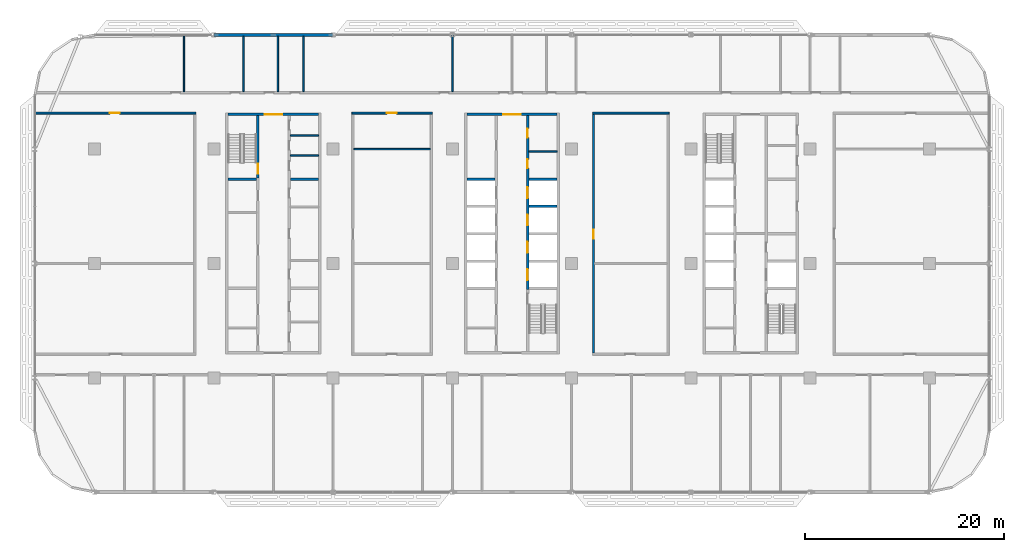
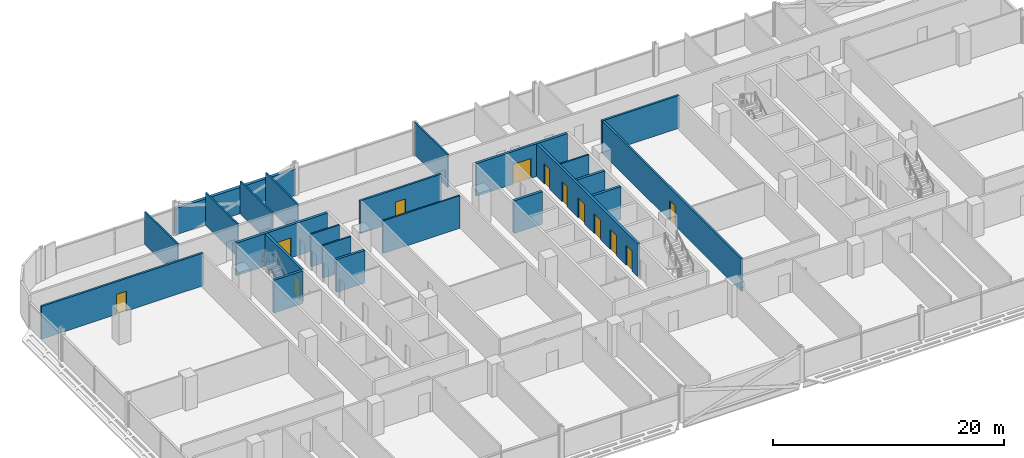
# One storey, part 13 of 27: 23 walls, 12 doors, 12 openings.
"""IFC4 building model written with IfcOpenShell, lengths in metres."""

from ifc_helpers import new_model, si_unit, direction, frame, frame_2d, origin, place, context, subcontext, project, spatial, rectangle, extrude, material, layer, layer_set, type_object, element, fill, save


model = new_model("IFC4")

# Units and contexts
model_context = context("Model", 3, precision=1e-05, world=origin(), true_north=direction((0.0, 1.0)))
body_context = subcontext(model_context, "Body", "Model", "MODEL_VIEW")
ifc_project = project(units=[si_unit("LENGTHUNIT", "METRE"), si_unit("AREAUNIT", "SQUARE_METRE"), si_unit("VOLUMEUNIT", "CUBIC_METRE"), si_unit("PLANEANGLEUNIT", "RADIAN"), si_unit("MASSUNIT", "GRAM", prefix="KILO")], contexts=[model_context])

# Site, building, storey
site_placement = place(None, origin())
site = spatial("IfcSite", under=ifc_project, at=site_placement, CompositionType="ELEMENT")
building_placement = place(site_placement, origin())
building = spatial("IfcBuilding", under=site, at=building_placement, Name="Mahtab Terrace Research Tower", CompositionType="ELEMENT")
storey_placement = place(building_placement, frame((0.0, 0.0, 178.199951171875)))
storey = spatial("IfcBuildingStorey", under=building, at=storey_placement, Name="L42", CompositionType="ELEMENT", Elevation=178.199951171875)

# Walls
ifc_material_1 = material(Name="Gypsum board partition")
ifc_layer_1 = layer(ifc_material_1, 0.14990234375)
ifc_layer_set_1 = layer_set([ifc_layer_1], Name="Core partition 150")
wall_type_1 = type_object("IfcWallType", Name="Core partition 150", PredefinedType="PARTITIONING", material=ifc_layer_set_1)
for number, where, z_axis, x_axis, name in (
    (1, (-22.300048828125, 10.875, 0.0), (0.0, 0.0, 1.0), (1.0, 0.0, 0.0), "Core wall A pEN788"),
    (2, (-22.300048828125, 12.875, 0.0), (0.0, 0.0, 1.0), (1.0, 0.0, 0.0), "Core wall A pEN988"),
    (3, (1.699951171875, 11.27490234375, 0.0), (0.0, 0.0, 1.0), (1.0, 0.0, 0.0), "Core wall B pEN828"),
):
    element("IfcWall", number, at=place(storey_placement, frame(where, z_axis=z_axis, x_axis=x_axis)), inside=storey, type_object=wall_type_1, Name=name, PredefinedType="PARTITIONING", context=body_context, shape_type="SweptSolid", body=[
        extrude(rectangle(XDim=2.85009765625, YDim=0.14990234375, at=frame_2d((1.425048828125, 0.0))), origin(), (0.0, 0.0, 1.0), 3.4599609375),
    ])

# Wall, opening, door
ifc_material_2 = material(Name="Concrete C70/85", Category="concrete")
ifc_layer_2 = layer(ifc_material_2, 0.25)
ifc_layer_set_2 = layer_set([ifc_layer_2], Name="Core wall 250")
wall_type_2 = type_object("IfcWallType", Name="Core wall 250", PredefinedType="SOLIDWALL", material=ifc_layer_set_2)
wall_1_placement = place(storey_placement, frame((-28.550048828125, 15.0, 0.0), z_axis=(0.0, 0.0, 1.0), x_axis=(1.0, 0.0, 0.0)))
wall_1 = element("IfcWall", 4, at=wall_1_placement, inside=storey, type_object=wall_type_2, Name="Core wall A endN", PredefinedType="SOLIDWALL", context=body_context, shape_type="SweptSolid", body=[
    extrude(rectangle(XDim=9.10009765625, YDim=0.25, at=frame_2d((4.550048828125, 0.0))), origin(), (0.0, 0.0, 1.0), 3.4599609375),
])
opening_1_placement = place(wall_1_placement, frame((3.64990234375, 0.0, 0.0)))
opening_1 = element("IfcOpeningElement", 5, at=opening_1_placement, cuts=wall_1, Name="Opening A-N1", PredefinedType="OPENING", context=body_context, shape_type="SweptSolid", body=[
    extrude(rectangle(XDim=1.800048828125, YDim=2.10009765625, at=frame_2d((0.89990234375, 1.050048828125))), frame((0.0, 0.135009765625, 0.0), z_axis=(0.0, -1.0, 0.0), x_axis=(1.0, 0.0, 0.0)), (0.0, 0.0, 1.0), 0.27001953125),
])
ifc_material_3 = material(Name="Steel fire door", Category="steel")
door_type_1 = type_object("IfcDoorType", Name="Lobby double door 1800x2100 1 HR", OperationType="DOUBLE_DOOR_SINGLE_SWING", PredefinedType="DOOR", material=ifc_material_3)
door_1_placement = place(opening_1_placement, origin())
door_1 = element("IfcDoor", 6, at=door_1_placement, inside=storey, type_object=door_type_1, Name="Core entrance door A N", OperationType="DOUBLE_DOOR_SINGLE_SWING", OverallHeight=2.10009765625, OverallWidth=1.800048828125, PredefinedType="DOOR", context=body_context, shape_type="SweptSolid", body=[
    extrude(rectangle(XDim=1.800048828125, YDim=2.10009765625, at=frame_2d((0.89990234375, 1.050048828125))), frame((0.0, 0.02490234375, 0.0), z_axis=(0.0, -1.0, 0.0), x_axis=(1.0, 0.0, 0.0)), (0.0, 0.0, 1.0), 0.050048828125),
])
fill(opening_1, door_1)

wall_2_placement = place(storey_placement, frame((-25.574951171875, 14.875, 0.0), z_axis=(0.0, 0.0, 1.0), x_axis=(0.0, -1.0, 0.0)))
wall_2 = element("IfcWall", 7, at=wall_2_placement, inside=storey, type_object=wall_type_2, Name="Core wall A innerWN", PredefinedType="SOLIDWALL", context=body_context, shape_type="SweptSolid", body=[
    extrude(rectangle(XDim=6.25, YDim=0.25, at=frame_2d((3.125, 0.0))), origin(), (0.0, 0.0, 1.0), 3.4599609375),
])
opening_2_placement = place(wall_2_placement, frame((4.85009765625, 0.0, 0.0)))
opening_2 = element("IfcOpeningElement", 8, at=opening_2_placement, cuts=wall_2, Name="Opening A-ST1", PredefinedType="OPENING", context=body_context, shape_type="SweptSolid", body=[
    extrude(rectangle(XDim=1.0, YDim=2.10009765625, at=frame_2d((0.5, 1.050048828125))), frame((0.0, 0.135009765625, 0.0), z_axis=(0.0, -1.0, 0.0), x_axis=(1.0, 0.0, 0.0)), (0.0, 0.0, 1.0), 0.27001953125),
])
door_type_2 = type_object("IfcDoorType", Name="Stair door 1000x2100 1.5 HR", OperationType="NOTDEFINED", PredefinedType="DOOR", material=ifc_material_3)
door_2_placement = place(opening_2_placement, origin())
door_2 = element("IfcDoor", 9, at=door_2_placement, inside=storey, type_object=door_type_2, Name="Stair door ST1 L42", OperationType="SINGLE_SWING_LEFT", OverallHeight=2.10009765625, OverallWidth=1.0, PredefinedType="DOOR", context=body_context, shape_type="SweptSolid", body=[
    extrude(rectangle(XDim=1.0, YDim=2.10009765625, at=frame_2d((0.5, 1.050048828125))), frame((0.0, 0.02490234375, 0.0), z_axis=(0.0, -1.0, 0.0), x_axis=(1.0, 0.0, 0.0)), (0.0, 0.0, 1.0), 0.050048828125),
])
fill(opening_2, door_2)

# Walls
for number, where, z_axis, x_axis, name in (
    (10, (-28.550048828125, 8.5, 0.0), (0.0, 0.0, 1.0), (1.0, 0.0, 0.0), "Core wall A divW4"),
    (11, (-22.300048828125, 8.5, 0.0), (0.0, 0.0, 1.0), (1.0, 0.0, 0.0), "Core wall A divE4"),
):
    element("IfcWall", number, at=place(storey_placement, frame(where, z_axis=z_axis, x_axis=x_axis)), inside=storey, type_object=wall_type_2, Name=name, PredefinedType="SOLIDWALL", context=body_context, shape_type="SweptSolid", body=[
        extrude(rectangle(XDim=2.85009765625, YDim=0.25, at=frame_2d((1.425048828125, 0.0))), origin(), (0.0, 0.0, 1.0), 3.4599609375),
    ])

# Wall, opening, door
wall_3_placement = place(storey_placement, frame((-4.550048828125, 15.0, 0.0), z_axis=(0.0, 0.0, 1.0), x_axis=(1.0, 0.0, 0.0)))
wall_3 = element("IfcWall", 12, at=wall_3_placement, inside=storey, type_object=wall_type_2, Name="Core wall B endN", PredefinedType="SOLIDWALL", context=body_context, shape_type="SweptSolid", body=[
    extrude(rectangle(XDim=9.10009765625, YDim=0.25, at=frame_2d((4.550048828125, 0.0))), origin(), (0.0, 0.0, 1.0), 3.4599609375),
])
opening_3_placement = place(wall_3_placement, frame((3.64990234375, 0.0, 0.0)))
opening_3 = element("IfcOpeningElement", 13, at=opening_3_placement, cuts=wall_3, Name="Opening B-N1", PredefinedType="OPENING", context=body_context, shape_type="SweptSolid", body=[
    extrude(rectangle(XDim=1.800048828125, YDim=2.10009765625, at=frame_2d((0.89990234375, 1.050048828125))), frame((0.0, 0.135009765625, 0.0), z_axis=(0.0, -1.0, 0.0), x_axis=(1.0, 0.0, 0.0)), (0.0, 0.0, 1.0), 0.27001953125),
])
door_3_placement = place(opening_3_placement, origin())
door_3 = element("IfcDoor", 14, at=door_3_placement, inside=storey, type_object=door_type_1, Name="Core entrance door B N", OperationType="DOUBLE_DOOR_SINGLE_SWING", OverallHeight=2.10009765625, OverallWidth=1.800048828125, PredefinedType="DOOR", context=body_context, shape_type="SweptSolid", body=[
    extrude(rectangle(XDim=1.800048828125, YDim=2.10009765625, at=frame_2d((0.89990234375, 1.050048828125))), frame((0.0, 0.02490234375, 0.0), z_axis=(0.0, -1.0, 0.0), x_axis=(1.0, 0.0, 0.0)), (0.0, 0.0, 1.0), 0.050048828125),
])
fill(opening_3, door_3)

# Wall, openings, doors
wall_4_placement = place(storey_placement, frame((1.574951171875, 14.875, 0.0), z_axis=(0.0, 0.0, 1.0), x_axis=(0.0, -1.0, 0.0)))
wall_4 = element("IfcWall", 15, at=wall_4_placement, inside=storey, type_object=wall_type_2, Name="Core wall B innerELN", PredefinedType="SOLIDWALL", context=body_context, shape_type="SweptSolid", body=[
    extrude(rectangle(XDim=17.5, YDim=0.25, at=frame_2d((8.75, 0.0))), origin(), (0.0, 0.0, 1.0), 3.4599609375),
])
opening_4_placement = place(wall_4_placement, frame((15.449951171875, 0.0, 0.0)))
opening_4 = element("IfcOpeningElement", 16, at=opening_4_placement, cuts=wall_4, Name="Opening LD13-L42", PredefinedType="OPENING", context=body_context, shape_type="SweptSolid", body=[
    extrude(rectangle(XDim=1.10009765625, YDim=2.10009765625, at=frame_2d((0.550048828125, 1.050048828125))), frame((0.0, 0.135009765625, 0.0), z_axis=(0.0, -1.0, 0.0), x_axis=(1.0, 0.0, 0.0)), (0.0, 0.0, 1.0), 0.27001953125),
])
opening_5_placement = place(wall_4_placement, frame((12.699951171875, 0.0, 0.0)))
opening_5 = element("IfcOpeningElement", 17, at=opening_5_placement, cuts=wall_4, Name="Opening LD14-L42", PredefinedType="OPENING", context=body_context, shape_type="SweptSolid", body=[
    extrude(rectangle(XDim=1.10009765625, YDim=2.10009765625, at=frame_2d((0.550048828125, 1.050048828125))), frame((0.0, 0.135009765625, 0.0), z_axis=(0.0, -1.0, 0.0), x_axis=(1.0, 0.0, 0.0)), (0.0, 0.0, 1.0), 0.27001953125),
])
opening_6_placement = place(wall_4_placement, frame((9.949951171875, 0.0, 0.0)))
opening_6 = element("IfcOpeningElement", 18, at=opening_6_placement, cuts=wall_4, Name="Opening LD15-L42", PredefinedType="OPENING", context=body_context, shape_type="SweptSolid", body=[
    extrude(rectangle(XDim=1.10009765625, YDim=2.10009765625, at=frame_2d((0.550048828125, 1.050048828125))), frame((0.0, 0.135009765625, 0.0), z_axis=(0.0, -1.0, 0.0), x_axis=(1.0, 0.0, 0.0)), (0.0, 0.0, 1.0), 0.27001953125),
])
opening_7_placement = place(wall_4_placement, frame((7.199951171875, 0.0, 0.0)))
opening_7 = element("IfcOpeningElement", 19, at=opening_7_placement, cuts=wall_4, Name="Opening LD16-L42", PredefinedType="OPENING", context=body_context, shape_type="SweptSolid", body=[
    extrude(rectangle(XDim=1.10009765625, YDim=2.10009765625, at=frame_2d((0.550048828125, 1.050048828125))), frame((0.0, 0.135009765625, 0.0), z_axis=(0.0, -1.0, 0.0), x_axis=(1.0, 0.0, 0.0)), (0.0, 0.0, 1.0), 0.27001953125),
])
opening_8_placement = place(wall_4_placement, frame((4.387451171875, 0.0, 0.0)))
opening_8 = element("IfcOpeningElement", 20, at=opening_8_placement, cuts=wall_4, Name="Opening B-R4", PredefinedType="OPENING", context=body_context, shape_type="SweptSolid", body=[
    extrude(rectangle(XDim=0.89990234375, YDim=2.10009765625, at=frame_2d((0.449951171875, 1.050048828125))), frame((0.0, 0.135009765625, 0.0), z_axis=(0.0, -1.0, 0.0), x_axis=(1.0, 0.0, 0.0)), (0.0, 0.0, 1.0), 0.27001953125),
])
opening_9_placement = place(wall_4_placement, frame((1.3125, 0.0, 0.0)))
opening_9 = element("IfcOpeningElement", 21, at=opening_9_placement, cuts=wall_4, Name="Opening B-R5", PredefinedType="OPENING", context=body_context, shape_type="SweptSolid", body=[
    extrude(rectangle(XDim=0.89990234375, YDim=2.10009765625, at=frame_2d((0.449951171875, 1.050048828125))), frame((0.0, 0.135009765625, 0.0), z_axis=(0.0, -1.0, 0.0), x_axis=(1.0, 0.0, 0.0)), (0.0, 0.0, 1.0), 0.27001953125),
])
ifc_material_4 = material(Name="Stainless steel AISI 304", Category="steel")
door_type_3 = type_object("IfcDoorType", Name="Landing door 1100x2100", OperationType="DOUBLE_DOOR_SLIDING", PredefinedType="DOOR", material=ifc_material_4)
door_4_placement = place(opening_4_placement, origin())
door_4 = element("IfcDoor", 22, at=door_4_placement, inside=storey, type_object=door_type_3, Name="Landing door HR5 L42", OperationType="DOUBLE_DOOR_SLIDING", OverallHeight=2.10009765625, OverallWidth=1.10009765625, PredefinedType="DOOR", context=body_context, shape_type="SweptSolid", body=[
    extrude(rectangle(XDim=1.10009765625, YDim=2.10009765625, at=frame_2d((0.550048828125, 1.050048828125))), frame((0.0, 0.02490234375, 0.0), z_axis=(0.0, -1.0, 0.0), x_axis=(1.0, 0.0, 0.0)), (0.0, 0.0, 1.0), 0.050048828125),
])
fill(opening_4, door_4)
door_5_placement = place(opening_5_placement, origin())
door_5 = element("IfcDoor", 23, at=door_5_placement, inside=storey, type_object=door_type_3, Name="Landing door HR6 L42", OperationType="DOUBLE_DOOR_SLIDING", OverallHeight=2.10009765625, OverallWidth=1.10009765625, PredefinedType="DOOR", context=body_context, shape_type="SweptSolid", body=[
    extrude(rectangle(XDim=1.10009765625, YDim=2.10009765625, at=frame_2d((0.550048828125, 1.050048828125))), frame((0.0, 0.02490234375, 0.0), z_axis=(0.0, -1.0, 0.0), x_axis=(1.0, 0.0, 0.0)), (0.0, 0.0, 1.0), 0.050048828125),
])
fill(opening_5, door_5)
door_6_placement = place(opening_6_placement, origin())
door_6 = element("IfcDoor", 24, at=door_6_placement, inside=storey, type_object=door_type_3, Name="Landing door HR7 L42", OperationType="DOUBLE_DOOR_SLIDING", OverallHeight=2.10009765625, OverallWidth=1.10009765625, PredefinedType="DOOR", context=body_context, shape_type="SweptSolid", body=[
    extrude(rectangle(XDim=1.10009765625, YDim=2.10009765625, at=frame_2d((0.550048828125, 1.050048828125))), frame((0.0, 0.02490234375, 0.0), z_axis=(0.0, -1.0, 0.0), x_axis=(1.0, 0.0, 0.0)), (0.0, 0.0, 1.0), 0.050048828125),
])
fill(opening_6, door_6)
door_7_placement = place(opening_7_placement, origin())
door_7 = element("IfcDoor", 25, at=door_7_placement, inside=storey, type_object=door_type_3, Name="Landing door HR8 L42", OperationType="DOUBLE_DOOR_SLIDING", OverallHeight=2.10009765625, OverallWidth=1.10009765625, PredefinedType="DOOR", context=body_context, shape_type="SweptSolid", body=[
    extrude(rectangle(XDim=1.10009765625, YDim=2.10009765625, at=frame_2d((0.550048828125, 1.050048828125))), frame((0.0, 0.02490234375, 0.0), z_axis=(0.0, -1.0, 0.0), x_axis=(1.0, 0.0, 0.0)), (0.0, 0.0, 1.0), 0.050048828125),
])
fill(opening_7, door_7)
door_type_4 = type_object("IfcDoorType", Name="Room door 900x2100 1 HR", OperationType="NOTDEFINED", PredefinedType="DOOR", material=ifc_material_3)
door_8_placement = place(opening_8_placement, origin())
door_8 = element("IfcDoor", 26, at=door_8_placement, inside=storey, type_object=door_type_4, Name="Accessible WC door", OperationType="SINGLE_SWING_RIGHT", OverallHeight=2.10009765625, OverallWidth=0.89990234375, PredefinedType="DOOR", context=body_context, shape_type="SweptSolid", body=[
    extrude(rectangle(XDim=0.89990234375, YDim=2.10009765625, at=frame_2d((0.449951171875, 1.050048828125))), frame((0.0, 0.02490234375, 0.0), z_axis=(0.0, -1.0, 0.0), x_axis=(1.0, 0.0, 0.0)), (0.0, 0.0, 1.0), 0.050048828125),
])
fill(opening_8, door_8)
door_9_placement = place(opening_9_placement, origin())
door_9 = element("IfcDoor", 27, at=door_9_placement, inside=storey, type_object=door_type_4, Name="WC block door", OperationType="SINGLE_SWING_LEFT", OverallHeight=2.10009765625, OverallWidth=0.89990234375, PredefinedType="DOOR", context=body_context, shape_type="SweptSolid", body=[
    extrude(rectangle(XDim=0.89990234375, YDim=2.10009765625, at=frame_2d((0.449951171875, 1.050048828125))), frame((0.0, 0.02490234375, 0.0), z_axis=(0.0, -1.0, 0.0), x_axis=(1.0, 0.0, 0.0)), (0.0, 0.0, 1.0), 0.050048828125),
])
fill(opening_9, door_9)

# Walls
for number, where, z_axis, x_axis, name in (
    (28, (-4.550048828125, 8.5, 0.0), (0.0, 0.0, 1.0), (1.0, 0.0, 0.0), "Core wall B divW4"),
    (29, (1.699951171875, 5.75, 0.0), (0.0, 0.0, 1.0), (1.0, 0.0, 0.0), "Core wall B divE3"),
    (30, (1.699951171875, 8.5, 0.0), (0.0, 0.0, 1.0), (1.0, 0.0, 0.0), "Core wall B divE4"),
):
    element("IfcWall", number, at=place(storey_placement, frame(where, z_axis=z_axis, x_axis=x_axis)), inside=storey, type_object=wall_type_2, Name=name, PredefinedType="SOLIDWALL", context=body_context, shape_type="SweptSolid", body=[
        extrude(rectangle(XDim=2.85009765625, YDim=0.25, at=frame_2d((1.425048828125, 0.0))), origin(), (0.0, 0.0, 1.0), 3.4599609375),
    ])
ifc_material_5 = material(Name="Black aluminium cladding panel", Category="aluminium")
ifc_layer_3 = layer(ifc_material_5, 0.300048828125)
ifc_layer_set_3 = layer_set([ifc_layer_3], Name="Opaque facade wall 300")
wall_type_3 = type_object("IfcWallType", Name="Opaque facade wall 300", PredefinedType="NOTDEFINED", material=ifc_layer_set_3)
wall_5_placement = place(storey_placement, frame((-18.014892578125, 23.0, 0.0), z_axis=(0.0, 0.0, 1.0), x_axis=(-1.0, 0.0, 0.0)))
element("IfcWall", 31, at=wall_5_placement, inside=storey, type_object=wall_type_3, Name="Opaque facade wall L42 N8", PredefinedType="NOTDEFINED", context=body_context, shape_type="SweptSolid", body=[
    extrude(rectangle(XDim=11.97021484375, YDim=0.300048828125, at=frame_2d((5.985107421875, 0.0))), origin(), (0.0, 0.0, 1.0), 2.78173828125),
])

# Wall, opening, door
ifc_material_6 = material(Name="Gypsum board corridor wall on steel studs", Category="steel")
ifc_layer_4 = layer(ifc_material_6, 0.199951171875)
ifc_layer_set_4 = layer_set([ifc_layer_4], Name="WALL CORRIDOR 200")
wall_type_4 = type_object("IfcWallType", Name="WALL CORRIDOR 200", PredefinedType="PARTITIONING", material=ifc_layer_set_4)
wall_6_placement = place(storey_placement, frame((-47.97509765625, 15.125, 0.0), z_axis=(0.0, 0.0, 1.0), x_axis=(1.0, 0.0, 0.0)))
wall_6 = element("IfcWall", 32, at=wall_6_placement, inside=storey, type_object=wall_type_4, Name="L42-W023", PredefinedType="PARTITIONING", context=body_context, shape_type="SweptSolid", body=[
    extrude(rectangle(XDim=16.175048828125, YDim=0.199951171875, at=frame_2d((8.08740234375, 0.0))), origin(), (0.0, 0.0, 1.0), 3.4599609375),
])
opening_10_placement = place(wall_6_placement, frame((7.5, 0.0, 0.0)))
opening_10 = element("IfcOpeningElement", 33, at=opening_10_placement, cuts=wall_6, Name="Opening L42-123", PredefinedType="OPENING", context=body_context, shape_type="SweptSolid", body=[
    extrude(rectangle(XDim=1.0, YDim=2.10009765625, at=frame_2d((0.5, 1.050048828125))), frame((0.0, 0.10986328125, 0.0), z_axis=(0.0, -1.0, 0.0), x_axis=(1.0, 0.0, 0.0)), (0.0, 0.0, 1.0), 0.219970703125),
])
ifc_material_7 = material(Name="Timber door leaf in steel frame", Category="steel")
door_type_5 = type_object("IfcDoorType", Name="DOOR 1000X2100 FD30S", OperationType="SINGLE_SWING_LEFT", PredefinedType="DOOR", material=ifc_material_7)
door_10_placement = place(opening_10_placement, origin())
door_10 = element("IfcDoor", 34, at=door_10_placement, inside=storey, type_object=door_type_5, Name="Door L42-123", OperationType="SINGLE_SWING_RIGHT", OverallHeight=2.10009765625, OverallWidth=1.0, PredefinedType="DOOR", context=body_context, shape_type="SweptSolid", body=[
    extrude(rectangle(XDim=1.0, YDim=2.10009765625, at=frame_2d((0.5, 1.050048828125))), frame((0.0, 0.02490234375, 0.0), z_axis=(0.0, -1.0, 0.0), x_axis=(1.0, 0.0, 0.0)), (0.0, 0.0, 1.0), 0.050048828125),
])
fill(opening_10, door_10)

wall_7_placement = place(storey_placement, frame((-16.10009765625, 15.125, 0.0), z_axis=(0.0, 0.0, 1.0), x_axis=(1.0, 0.0, 0.0)))
wall_7 = element("IfcWall", 35, at=wall_7_placement, inside=storey, type_object=wall_type_4, Name="L42-W024", PredefinedType="PARTITIONING", context=body_context, shape_type="SweptSolid", body=[
    extrude(rectangle(XDim=8.10009765625, YDim=0.199951171875, at=frame_2d((4.050048828125, 0.0))), origin(), (0.0, 0.0, 1.0), 3.4599609375),
])
opening_11_placement = place(wall_7_placement, frame((3.5, 0.0, 0.0)))
opening_11 = element("IfcOpeningElement", 36, at=opening_11_placement, cuts=wall_7, Name="Opening L42-125", PredefinedType="OPENING", context=body_context, shape_type="SweptSolid", body=[
    extrude(rectangle(XDim=1.0, YDim=2.10009765625, at=frame_2d((0.5, 1.050048828125))), frame((0.0, 0.10986328125, 0.0), z_axis=(0.0, -1.0, 0.0), x_axis=(1.0, 0.0, 0.0)), (0.0, 0.0, 1.0), 0.219970703125),
])
door_11_placement = place(opening_11_placement, origin())
door_11 = element("IfcDoor", 37, at=door_11_placement, inside=storey, type_object=door_type_5, Name="Door L42-125", OperationType="SINGLE_SWING_RIGHT", OverallHeight=2.10009765625, OverallWidth=1.0, PredefinedType="DOOR", context=body_context, shape_type="SweptSolid", body=[
    extrude(rectangle(XDim=1.0, YDim=2.10009765625, at=frame_2d((0.5, 1.050048828125))), frame((0.0, 0.02490234375, 0.0), z_axis=(0.0, -1.0, 0.0), x_axis=(1.0, 0.0, 0.0)), (0.0, 0.0, 1.0), 0.050048828125),
])
fill(opening_11, door_11)

# Wall
wall_8_placement = place(storey_placement, frame((8.10009765625, 15.125, 0.0), z_axis=(0.0, 0.0, 1.0), x_axis=(1.0, 0.0, 0.0)))
element("IfcWall", 38, at=wall_8_placement, inside=storey, type_object=wall_type_4, Name="L42-W025", PredefinedType="PARTITIONING", context=body_context, shape_type="SweptSolid", body=[
    extrude(rectangle(XDim=7.699951171875, YDim=0.199951171875, at=frame_2d((3.85009765625, 0.0))), origin(), (0.0, 0.0, 1.0), 3.4599609375),
])

# Wall, opening, door
wall_9_placement = place(storey_placement, frame((8.199951171875, -9.02490234375, 0.0), z_axis=(0.0, 0.0, 1.0), x_axis=(0.0, 1.0, 0.0)))
wall_9 = element("IfcWall", 39, at=wall_9_placement, inside=storey, type_object=wall_type_4, Name="L42-W048", PredefinedType="PARTITIONING", context=body_context, shape_type="SweptSolid", body=[
    extrude(rectangle(XDim=24.0498046875, YDim=0.199951171875, at=frame_2d((12.02490234375, 0.0))), origin(), (0.0, 0.0, 1.0), 3.4599609375),
])
opening_12_placement = place(wall_9_placement, frame((11.5, 0.0, 0.0)))
opening_12 = element("IfcOpeningElement", 40, at=opening_12_placement, cuts=wall_9, Name="Opening L42-124", PredefinedType="OPENING", context=body_context, shape_type="SweptSolid", body=[
    extrude(rectangle(XDim=0.89990234375, YDim=2.10009765625, at=frame_2d((0.449951171875, 1.050048828125))), frame((0.0, 0.10986328125, 0.0), z_axis=(0.0, -1.0, 0.0), x_axis=(1.0, 0.0, 0.0)), (0.0, 0.0, 1.0), 0.219970703125),
])
door_type_6 = type_object("IfcDoorType", Name="DOOR 0900X2100 FD30S", OperationType="SINGLE_SWING_LEFT", PredefinedType="DOOR", material=ifc_material_7)
door_12_placement = place(opening_12_placement, origin())
door_12 = element("IfcDoor", 41, at=door_12_placement, inside=storey, type_object=door_type_6, Name="Door L42-124", OperationType="SINGLE_SWING_RIGHT", OverallHeight=2.10009765625, OverallWidth=0.89990234375, PredefinedType="DOOR", context=body_context, shape_type="SweptSolid", body=[
    extrude(rectangle(XDim=0.89990234375, YDim=2.10009765625, at=frame_2d((0.449951171875, 1.050048828125))), frame((0.0, 0.02490234375, 0.0), z_axis=(0.0, -1.0, 0.0), x_axis=(1.0, 0.0, 0.0)), (0.0, 0.0, 1.0), 0.050048828125),
])
fill(opening_12, door_12)

# Walls
ifc_material_8 = material(Name="Gypsum board partition on steel studs", Category="steel")
ifc_layer_5 = layer(ifc_material_8, 0.14990234375)
ifc_layer_set_5 = layer_set([ifc_layer_5], Name="WALL PARTITION 150")
wall_type_5 = type_object("IfcWallType", Name="WALL PARTITION 150", PredefinedType="PARTITIONING", material=ifc_layer_set_5)
wall_10_placement = place(storey_placement, frame((-15.89990234375, 11.5, 0.0), z_axis=(0.0, 0.0, 1.0), x_axis=(1.0, 0.0, 0.0)))
element("IfcWall", 42, at=wall_10_placement, inside=storey, type_object=wall_type_5, Name="L42-W020", PredefinedType="PARTITIONING", context=body_context, shape_type="SweptSolid", body=[
    extrude(rectangle(XDim=7.699951171875, YDim=0.14990234375, at=frame_2d((3.85009765625, 0.0))), origin(), (0.0, 0.0, 1.0), 3.4599609375),
])
wall_11_placement = place(storey_placement, frame((-33.0, 17.300048828125, 0.0), z_axis=(0.0, 0.0, 1.0), x_axis=(0.0, 1.0, 0.0)))
element("IfcWall", 43, at=wall_11_placement, inside=storey, type_object=wall_type_5, Name="L42-W031", PredefinedType="PARTITIONING", context=body_context, shape_type="SweptSolid", body=[
    extrude(rectangle(XDim=5.675048828125, YDim=0.14990234375, at=frame_2d((2.83740234375, 0.0))), origin(), (0.0, 0.0, 1.0), 3.4599609375),
])
for number, where, z_axis, x_axis, name in (
    (44, (-27.0, 17.300048828125, 0.0), (0.0, 0.0, 1.0), (0.0, 1.0, 0.0), "L42-W033"),
    (45, (-23.550048828125, 17.300048828125, 0.0), (0.0, 0.0, 1.0), (0.0, 1.0, 0.0), "L42-W035"),
    (46, (-21.0, 17.300048828125, 0.0), (0.0, 0.0, 1.0), (0.0, 1.0, 0.0), "L42-W036"),
):
    element("IfcWall", number, at=place(storey_placement, frame(where, z_axis=z_axis, x_axis=x_axis)), inside=storey, type_object=wall_type_5, Name=name, PredefinedType="PARTITIONING", context=body_context, shape_type="SweptSolid", body=[
        extrude(rectangle(XDim=5.550048828125, YDim=0.14990234375, at=frame_2d((2.77490234375, 0.0))), origin(), (0.0, 0.0, 1.0), 3.4599609375),
    ])
wall_12_placement = place(storey_placement, frame((-6.0, 17.300048828125, 0.0), z_axis=(0.0, 0.0, 1.0), x_axis=(0.0, 1.0, 0.0)))
element("IfcWall", 47, at=wall_12_placement, inside=storey, type_object=wall_type_5, Name="L42-W042", PredefinedType="PARTITIONING", context=body_context, shape_type="SweptSolid", body=[
    extrude(rectangle(XDim=5.675048828125, YDim=0.14990234375, at=frame_2d((2.83740234375, 0.0))), origin(), (0.0, 0.0, 1.0), 3.4599609375),
])

save(model, "model.ifc")
